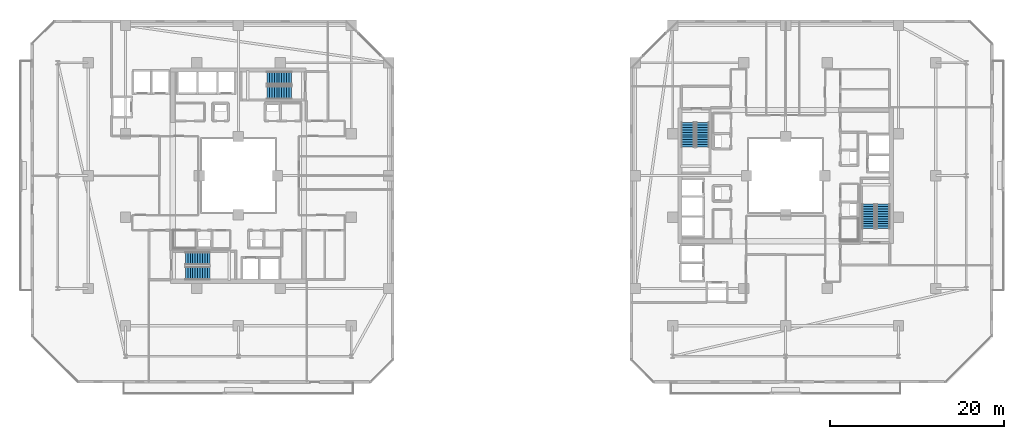
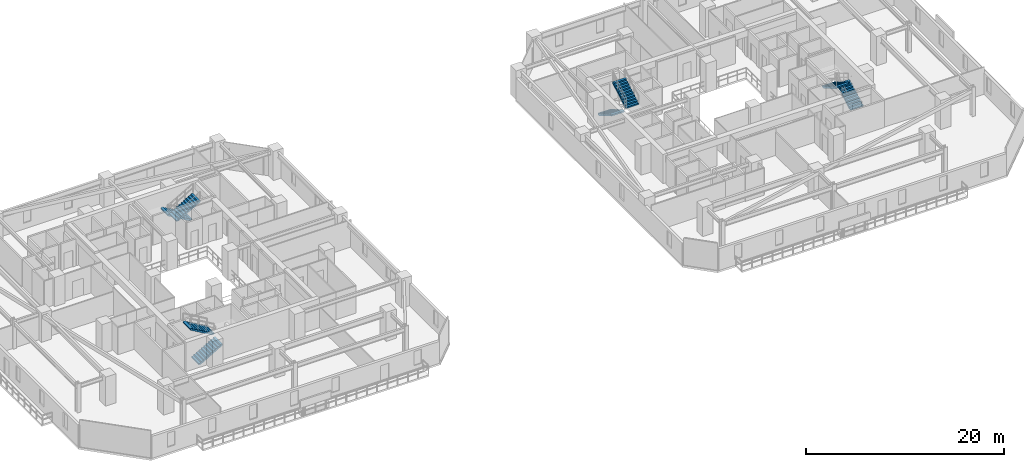
# One storey, part 26 of 33: 8 stair flights, 4 elements without a shape of their own.
"""IFC4 building model written with IfcOpenShell, lengths in metres."""

from ifc_helpers import new_model, si_unit, direction, frame, origin, place, context, subcontext, project, spatial, polyline, outline, extrude, material, type_object, element, aggregate, save


model = new_model("IFC4")

# Units and contexts
model_context = context("Model", 3, precision=1e-05, world=origin(), true_north=direction((0.0, 1.0)))
body_context = subcontext(model_context, "Body", "Model", "MODEL_VIEW")
ifc_project = project(units=[si_unit("LENGTHUNIT", "METRE"), si_unit("AREAUNIT", "SQUARE_METRE"), si_unit("VOLUMEUNIT", "CUBIC_METRE"), si_unit("PLANEANGLEUNIT", "RADIAN"), si_unit("MASSUNIT", "GRAM", prefix="KILO")], contexts=[model_context])

# Site, building, storey
site_placement = place(None, origin())
site = spatial("IfcSite", under=ifc_project, at=site_placement, CompositionType="ELEMENT")
building_placement = place(site_placement, origin())
building = spatial("IfcBuilding", under=site, at=building_placement, Name="Thornwick Lancets Civic Towers", CompositionType="ELEMENT")
storey_placement = place(building_placement, frame((0.0, 0.0, 130.5)))
storey = spatial("IfcBuildingStorey", under=building, at=storey_placement, Name="L34", CompositionType="ELEMENT", Elevation=130.5)

# Stair, stair flights
ifc_material = material(Name="Concrete C40/50", Category="concrete")
stair_type = type_object("IfcStairType", Name="STAIR_DL_3600", PredefinedType="HALF_TURN_STAIR", material=ifc_material)
stair_1_placement = place(storey_placement, origin())
stair_1 = element("IfcStair", 1, at=stair_1_placement, inside=storey, type_object=stair_type, Name="L34 Tower A South Exit Stair ST-A1", PredefinedType="HALF_TURN_STAIR")
stair_flight_type = type_object("IfcStairFlightType", Name="FLIGHT_3600", PredefinedType="STRAIGHT", material=ifc_material)
stair_flight_1_placement = place(storey_placement, frame((19.39990234375, 15.75, 0.0), z_axis=(0.0, 0.0, 1.0), x_axis=(1.0, 0.0, 0.0)))
stair_flight_1 = element("IfcStairFlight", 2, at=stair_flight_1_placement, type_object=stair_flight_type, Name="ST-A1 flight 1", NumberOfRisers=11, NumberOfTreads=10, PredefinedType="STRAIGHT", RiserHeight=0.163636364, TreadLength=0.28, context=body_context, shape_type="SweptSolid", body=[
    extrude(outline(polyline([(0.0, 0.0), (0.0, 0.16357421875), (0.280029296875, 0.16357421875), (0.280029296875, 0.327392578125), (0.56005859375, 0.327392578125), (0.56005859375, 0.490966796875), (0.840087890625, 0.490966796875), (0.840087890625, 0.654541015625), (1.1201171875, 0.654541015625), (1.1201171875, 0.818115234375), (1.39990234375, 0.818115234375), (1.39990234375, 0.98193359375), (1.679931640625, 0.98193359375), (1.679931640625, 1.1455078125), (1.9599609375, 1.1455078125), (1.9599609375, 1.30908203125), (2.239990234375, 1.30908203125), (2.239990234375, 1.47265625), (2.52001953125, 1.47265625), (2.52001953125, 1.636474609375), (2.800048828125, 1.636474609375), (2.800048828125, 1.800048828125), (2.800048828125, 1.462646484375), (0.297119140625, 0.0), (0.0, 0.0)])), frame((0.0, 0.75, 0.0), z_axis=(0.0, -1.0, 0.0), x_axis=(1.0, 0.0, 0.0)), (0.0, 0.0, 1.0), 1.5),
])
stair_flight_2_placement = place(storey_placement, frame((22.199951171875, 17.449951171875, 1.800048828125), z_axis=(0.0, 0.0, 1.0), x_axis=(-1.0, 0.0, 0.0)))
stair_flight_2 = element("IfcStairFlight", 3, at=stair_flight_2_placement, type_object=stair_flight_type, Name="ST-A1 flight 2", NumberOfRisers=11, NumberOfTreads=10, PredefinedType="STRAIGHT", RiserHeight=0.163636364, TreadLength=0.28, context=body_context, shape_type="SweptSolid", body=[
    extrude(outline(polyline([(0.0, 0.0), (0.0, 0.16357421875), (0.280029296875, 0.16357421875), (0.280029296875, 0.327392578125), (0.56005859375, 0.327392578125), (0.56005859375, 0.490966796875), (0.840087890625, 0.490966796875), (0.840087890625, 0.654541015625), (1.1201171875, 0.654541015625), (1.1201171875, 0.818115234375), (1.39990234375, 0.818115234375), (1.39990234375, 0.98193359375), (1.679931640625, 0.98193359375), (1.679931640625, 1.1455078125), (1.9599609375, 1.1455078125), (1.9599609375, 1.30908203125), (2.239990234375, 1.30908203125), (2.239990234375, 1.47265625), (2.52001953125, 1.47265625), (2.52001953125, 1.636474609375), (2.800048828125, 1.636474609375), (2.800048828125, 1.800048828125), (2.800048828125, 1.462646484375), (0.297119140625, 0.0), (0.0, 0.0)])), frame((0.0, 0.75, 0.0), z_axis=(0.0, -1.0, 0.0), x_axis=(1.0, 0.0, 0.0)), (0.0, 0.0, 1.0), 1.5),
])
aggregate(stair_1, [stair_flight_1, stair_flight_2])

stair_2_placement = place(storey_placement, origin())
stair_2 = element("IfcStair", 4, at=stair_2_placement, inside=storey, type_object=stair_type, Name="L34 Tower A North Exit Stair ST-A2", PredefinedType="HALF_TURN_STAIR")
stair_flight_3_placement = place(storey_placement, frame((31.60009765625, 38.25, 0.0), z_axis=(0.0, 0.0, 1.0), x_axis=(-1.0, 0.0, 0.0)))
stair_flight_3 = element("IfcStairFlight", 5, at=stair_flight_3_placement, type_object=stair_flight_type, Name="ST-A2 flight 1", NumberOfRisers=11, NumberOfTreads=10, PredefinedType="STRAIGHT", RiserHeight=0.163636364, TreadLength=0.28, context=body_context, shape_type="SweptSolid", body=[
    extrude(outline(polyline([(0.0, 0.0), (0.0, 0.16357421875), (0.280029296875, 0.16357421875), (0.280029296875, 0.327392578125), (0.56005859375, 0.327392578125), (0.56005859375, 0.490966796875), (0.840087890625, 0.490966796875), (0.840087890625, 0.654541015625), (1.1201171875, 0.654541015625), (1.1201171875, 0.818115234375), (1.39990234375, 0.818115234375), (1.39990234375, 0.98193359375), (1.679931640625, 0.98193359375), (1.679931640625, 1.1455078125), (1.9599609375, 1.1455078125), (1.9599609375, 1.30908203125), (2.239990234375, 1.30908203125), (2.239990234375, 1.47265625), (2.52001953125, 1.47265625), (2.52001953125, 1.636474609375), (2.800048828125, 1.636474609375), (2.800048828125, 1.800048828125), (2.800048828125, 1.462646484375), (0.297119140625, 0.0), (0.0, 0.0)])), frame((0.0, 0.75, 0.0), z_axis=(0.0, -1.0, 0.0), x_axis=(1.0, 0.0, 0.0)), (0.0, 0.0, 1.0), 1.5),
])
stair_flight_4_placement = place(storey_placement, frame((28.800048828125, 36.550048828125, 1.800048828125), z_axis=(0.0, 0.0, 1.0), x_axis=(1.0, 0.0, 0.0)))
stair_flight_4 = element("IfcStairFlight", 6, at=stair_flight_4_placement, type_object=stair_flight_type, Name="ST-A2 flight 2", NumberOfRisers=11, NumberOfTreads=10, PredefinedType="STRAIGHT", RiserHeight=0.163636364, TreadLength=0.28, context=body_context, shape_type="SweptSolid", body=[
    extrude(outline(polyline([(0.0, 0.0), (0.0, 0.16357421875), (0.280029296875, 0.16357421875), (0.280029296875, 0.327392578125), (0.56005859375, 0.327392578125), (0.56005859375, 0.490966796875), (0.840087890625, 0.490966796875), (0.840087890625, 0.654541015625), (1.1201171875, 0.654541015625), (1.1201171875, 0.818115234375), (1.39990234375, 0.818115234375), (1.39990234375, 0.98193359375), (1.679931640625, 0.98193359375), (1.679931640625, 1.1455078125), (1.9599609375, 1.1455078125), (1.9599609375, 1.30908203125), (2.239990234375, 1.30908203125), (2.239990234375, 1.47265625), (2.52001953125, 1.47265625), (2.52001953125, 1.636474609375), (2.800048828125, 1.636474609375), (2.800048828125, 1.800048828125), (2.800048828125, 1.462646484375), (0.297119140625, 0.0), (0.0, 0.0)])), frame((0.0, 0.75, 0.0), z_axis=(0.0, -1.0, 0.0), x_axis=(1.0, 0.0, 0.0)), (0.0, 0.0, 1.0), 1.5),
])
aggregate(stair_2, [stair_flight_3, stair_flight_4])

stair_3_placement = place(storey_placement, origin())
stair_3 = element("IfcStair", 7, at=stair_3_placement, inside=storey, type_object=stair_type, Name="L34 Tower B East Exit Stair ST-B1", PredefinedType="HALF_TURN_STAIR")
stair_flight_5_placement = place(storey_placement, frame((99.75, 20.89990234375, 0.0), z_axis=(0.0, 0.0, 1.0), x_axis=(0.0, 1.0, 0.0)))
stair_flight_5 = element("IfcStairFlight", 8, at=stair_flight_5_placement, type_object=stair_flight_type, Name="ST-B1 flight 1", NumberOfRisers=11, NumberOfTreads=10, PredefinedType="STRAIGHT", RiserHeight=0.163636364, TreadLength=0.28, context=body_context, shape_type="SweptSolid", body=[
    extrude(outline(polyline([(0.0, 0.0), (0.0, 0.16357421875), (0.280029296875, 0.16357421875), (0.280029296875, 0.327392578125), (0.56005859375, 0.327392578125), (0.56005859375, 0.490966796875), (0.840087890625, 0.490966796875), (0.840087890625, 0.654541015625), (1.1201171875, 0.654541015625), (1.1201171875, 0.818115234375), (1.39990234375, 0.818115234375), (1.39990234375, 0.98193359375), (1.679931640625, 0.98193359375), (1.679931640625, 1.1455078125), (1.9599609375, 1.1455078125), (1.9599609375, 1.30908203125), (2.239990234375, 1.30908203125), (2.239990234375, 1.47265625), (2.52001953125, 1.47265625), (2.52001953125, 1.636474609375), (2.800048828125, 1.636474609375), (2.800048828125, 1.800048828125), (2.800048828125, 1.462646484375), (0.297119140625, 0.0), (0.0, 0.0)])), frame((0.0, 0.75, 0.0), z_axis=(0.0, -1.0, 0.0), x_axis=(1.0, 0.0, 0.0)), (0.0, 0.0, 1.0), 1.5),
])
stair_flight_6_placement = place(storey_placement, frame((98.050048828125, 23.699951171875, 1.800048828125), z_axis=(0.0, 0.0, 1.0), x_axis=(0.0, -1.0, 0.0)))
stair_flight_6 = element("IfcStairFlight", 9, at=stair_flight_6_placement, type_object=stair_flight_type, Name="ST-B1 flight 2", NumberOfRisers=11, NumberOfTreads=10, PredefinedType="STRAIGHT", RiserHeight=0.163636364, TreadLength=0.28, context=body_context, shape_type="SweptSolid", body=[
    extrude(outline(polyline([(0.0, 0.0), (0.0, 0.16357421875), (0.280029296875, 0.16357421875), (0.280029296875, 0.327392578125), (0.56005859375, 0.327392578125), (0.56005859375, 0.490966796875), (0.840087890625, 0.490966796875), (0.840087890625, 0.654541015625), (1.1201171875, 0.654541015625), (1.1201171875, 0.818115234375), (1.39990234375, 0.818115234375), (1.39990234375, 0.98193359375), (1.679931640625, 0.98193359375), (1.679931640625, 1.1455078125), (1.9599609375, 1.1455078125), (1.9599609375, 1.30908203125), (2.239990234375, 1.30908203125), (2.239990234375, 1.47265625), (2.52001953125, 1.47265625), (2.52001953125, 1.636474609375), (2.800048828125, 1.636474609375), (2.800048828125, 1.800048828125), (2.800048828125, 1.462646484375), (0.297119140625, 0.0), (0.0, 0.0)])), frame((0.0, 0.75, 0.0), z_axis=(0.0, -1.0, 0.0), x_axis=(1.0, 0.0, 0.0)), (0.0, 0.0, 1.0), 1.5),
])
aggregate(stair_3, [stair_flight_5, stair_flight_6])

stair_4_placement = place(storey_placement, origin())
stair_4 = element("IfcStair", 10, at=stair_4_placement, inside=storey, type_object=stair_type, Name="L34 Tower B West Exit Stair ST-B2", PredefinedType="HALF_TURN_STAIR")
stair_flight_7_placement = place(storey_placement, frame((77.25, 33.10009765625, 0.0), z_axis=(0.0, 0.0, 1.0), x_axis=(0.0, -1.0, 0.0)))
stair_flight_7 = element("IfcStairFlight", 11, at=stair_flight_7_placement, type_object=stair_flight_type, Name="ST-B2 flight 1", NumberOfRisers=11, NumberOfTreads=10, PredefinedType="STRAIGHT", RiserHeight=0.163636364, TreadLength=0.28, context=body_context, shape_type="SweptSolid", body=[
    extrude(outline(polyline([(0.0, 0.0), (0.0, 0.16357421875), (0.280029296875, 0.16357421875), (0.280029296875, 0.327392578125), (0.56005859375, 0.327392578125), (0.56005859375, 0.490966796875), (0.840087890625, 0.490966796875), (0.840087890625, 0.654541015625), (1.1201171875, 0.654541015625), (1.1201171875, 0.818115234375), (1.39990234375, 0.818115234375), (1.39990234375, 0.98193359375), (1.679931640625, 0.98193359375), (1.679931640625, 1.1455078125), (1.9599609375, 1.1455078125), (1.9599609375, 1.30908203125), (2.239990234375, 1.30908203125), (2.239990234375, 1.47265625), (2.52001953125, 1.47265625), (2.52001953125, 1.636474609375), (2.800048828125, 1.636474609375), (2.800048828125, 1.800048828125), (2.800048828125, 1.462646484375), (0.297119140625, 0.0), (0.0, 0.0)])), frame((0.0, 0.75, 0.0), z_axis=(0.0, -1.0, 0.0), x_axis=(1.0, 0.0, 0.0)), (0.0, 0.0, 1.0), 1.5),
])
stair_flight_8_placement = place(storey_placement, frame((78.949951171875, 30.300048828125, 1.800048828125), z_axis=(0.0, 0.0, 1.0), x_axis=(0.0, 1.0, 0.0)))
stair_flight_8 = element("IfcStairFlight", 12, at=stair_flight_8_placement, type_object=stair_flight_type, Name="ST-B2 flight 2", NumberOfRisers=11, NumberOfTreads=10, PredefinedType="STRAIGHT", RiserHeight=0.163636364, TreadLength=0.28, context=body_context, shape_type="SweptSolid", body=[
    extrude(outline(polyline([(0.0, 0.0), (0.0, 0.16357421875), (0.280029296875, 0.16357421875), (0.280029296875, 0.327392578125), (0.56005859375, 0.327392578125), (0.56005859375, 0.490966796875), (0.840087890625, 0.490966796875), (0.840087890625, 0.654541015625), (1.1201171875, 0.654541015625), (1.1201171875, 0.818115234375), (1.39990234375, 0.818115234375), (1.39990234375, 0.98193359375), (1.679931640625, 0.98193359375), (1.679931640625, 1.1455078125), (1.9599609375, 1.1455078125), (1.9599609375, 1.30908203125), (2.239990234375, 1.30908203125), (2.239990234375, 1.47265625), (2.52001953125, 1.47265625), (2.52001953125, 1.636474609375), (2.800048828125, 1.636474609375), (2.800048828125, 1.800048828125), (2.800048828125, 1.462646484375), (0.297119140625, 0.0), (0.0, 0.0)])), frame((0.0, 0.75, 0.0), z_axis=(0.0, -1.0, 0.0), x_axis=(1.0, 0.0, 0.0)), (0.0, 0.0, 1.0), 1.5),
])
aggregate(stair_4, [stair_flight_7, stair_flight_8])

save(model, "model.ifc")
